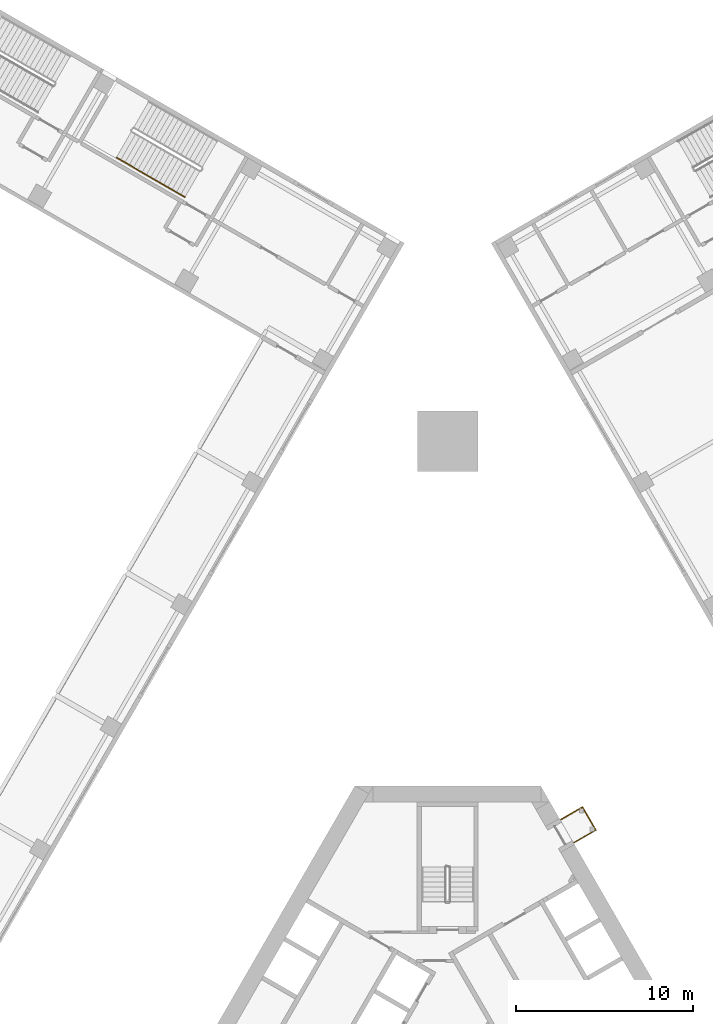
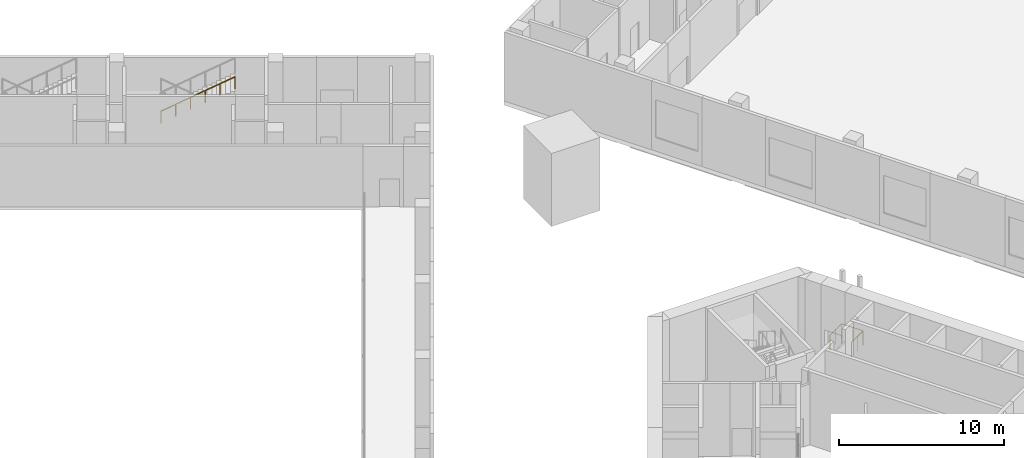
# One storey, part 32 of 35: 2 railings.
"""IFC4 building model written with IfcOpenShell, lengths in metres."""

import ifcopenshell
import ifcopenshell.guid

model = None  # the IFC model being written
_history = None  # IfcOwnerHistory: only IFC2X3 demands one
_inside = {}  # id of a spatial element -> (the spatial element, [elements in it])
_under = {}  # id of a project, library or spatial element -> (it, [spatial elements below it])
_declared = {}  # id of a project -> (the project, [libraries it declares])
_typed = {}  # id of a type object -> (the type object, [elements of that type])
_made_of = {}  # id of a material, layer set ... -> (it, [elements and type objects made of it])


def new_model(schema):
    """Start an empty IFC model of exactly this schema.

    Asked for "IFC4X3", IfcOpenShell would pick the latest addendum, in which some entities
    have other attributes; the version numbers below select the first issue.
    IFC2X3 requires an IfcOwnerHistory on every rooted entity: one is made here for all.
    """
    global model, _history
    if schema == "IFC4X3":
        model = ifcopenshell.file(schema_version=(4, 3, 0, 0))
    else:
        model = ifcopenshell.file(schema=schema)
    _inside.clear()
    _under.clear()
    _declared.clear()
    _typed.clear()
    _made_of.clear()
    _history = None
    if model.schema == "IFC2X3":
        org = make("IfcOrganization", Name="unknown")
        user = make(
            "IfcPersonAndOrganization",
            ThePerson=make("IfcPerson", FamilyName="unknown"),
            TheOrganization=org,
        )
        app = make(
            "IfcApplication",
            ApplicationDeveloper=org,
            Version="unknown",
            ApplicationFullName="unknown",
            ApplicationIdentifier="unknown",
        )
        _history = make(
            "IfcOwnerHistory",
            OwningUser=user,
            OwningApplication=app,
            ChangeAction="ADDED",
            CreationDate=0,
        )
    return model


def make(cls, **values):
    """One entity of the class cls with the attributes given. An attribute that is None is left unset."""
    return model.create_entity(
        cls, **{name: value for name, value in values.items() if value is not None}
    )


def rooted(cls, **values):
    """An entity with a GlobalId (a new one), such as an element, a storey or a relation."""
    return make(cls, GlobalId=ifcopenshell.guid.new(), OwnerHistory=_history, **values)


def si_unit(unit_type, name, prefix=None):
    """IfcSIUnit, for example si_unit("LENGTHUNIT", "METRE", prefix="MILLI")."""
    return make("IfcSIUnit", UnitType=unit_type, Prefix=prefix, Name=name)


def assignment(units):
    """IfcUnitAssignment: the units of a project."""
    return None if units is None else make("IfcUnitAssignment", Units=units)


def point(xyz):
    """IfcCartesianPoint."""
    return None if xyz is None else make("IfcCartesianPoint", Coordinates=xyz)


def direction(xyz):
    """IfcDirection."""
    return None if xyz is None else make("IfcDirection", DirectionRatios=xyz)


def frame(location, z_axis=None, x_axis=None):
    """IfcAxis2Placement3D, a coordinate frame: its origin and axes. An axis left out is left unset."""
    return make(
        "IfcAxis2Placement3D",
        Location=point(location),
        Axis=direction(z_axis),
        RefDirection=direction(x_axis),
    )


def frame_2d(location, x_axis=None):
    """IfcAxis2Placement2D, a coordinate frame in the plane: its origin and x axis."""
    return make(
        "IfcAxis2Placement2D", Location=point(location), RefDirection=direction(x_axis)
    )


def origin():
    """The frame at (0, 0, 0) with its axes left unset."""
    return frame((0.0, 0.0, 0.0))


def origin_2d():
    """The frame at (0, 0) in the plane with its x axis left unset."""
    return frame_2d((0.0, 0.0))


def place(relative_to, where):
    """IfcLocalPlacement: puts the frame where relative to a parent placement (None: the world)."""
    return make(
        "IfcLocalPlacement", PlacementRelTo=relative_to, RelativePlacement=where
    )


def context(
    kind, dimensions, precision=None, world=None, true_north=None, identifier=None
):
    """IfcGeometricRepresentationContext, for example the 3D "Model" context."""
    return make(
        "IfcGeometricRepresentationContext",
        ContextIdentifier=identifier,
        ContextType=kind,
        CoordinateSpaceDimension=dimensions,
        Precision=precision,
        WorldCoordinateSystem=world,
        TrueNorth=true_north,
    )


def subcontext(parent, identifier, kind, view, scale=None):
    """IfcGeometricRepresentationSubContext, for example "Body" below "Model"."""
    return make(
        "IfcGeometricRepresentationSubContext",
        ContextIdentifier=identifier,
        ContextType=kind,
        ParentContext=parent,
        TargetScale=scale,
        TargetView=view,
    )


def project(units=None, contexts=None):
    """IfcProject with its units and contexts."""
    return rooted(
        "IfcProject",
        Name="project",
        RepresentationContexts=contexts,
        UnitsInContext=assignment(units),
    )


def spatial(cls, under=None, at=None, **own):
    """A site, building, storey or space (cls), placed at a placement, below another one or the project."""
    s = rooted(cls, ObjectPlacement=at, **own)
    if under is not None:
        _under.setdefault(under.id(), (under, []))[1].append(s)
    return s


def profile(cls, at=None, kind="AREA", **sizes):
    """A parametric profile (cls). Its sizes go by their IFC names, for example OverallWidth=200.0."""
    return make(cls, ProfileType=kind, Position=at, **sizes)


def circle(**sizes):
    """IfcCircleProfileDef."""
    return profile("IfcCircleProfileDef", **sizes)


def extrude(swept, where, along, depth):
    """IfcExtrudedAreaSolid: the profile swept, set in the frame where, extruded along a direction by depth."""
    return make(
        "IfcExtrudedAreaSolid",
        SweptArea=swept,
        Position=where,
        ExtrudedDirection=direction(along),
        Depth=depth,
    )


def shape(context_of_items, identifier, shape_type, items):
    """IfcShapeRepresentation: the items that make up one representation, for example the "Body"."""
    return make(
        "IfcShapeRepresentation",
        ContextOfItems=context_of_items,
        RepresentationIdentifier=identifier,
        RepresentationType=shape_type,
        Items=items,
    )


def material(Name=None, Category=None):
    """IfcMaterial."""
    return make("IfcMaterial", Name=Name, Category=Category)


def made_of(thing, what):
    """Note that an element or type object is made of a material, layer set ...; save() writes the relation."""
    if what is not None:
        _made_of.setdefault(what.id(), (what, []))[1].append(thing)
    return thing


def type_object(cls, material=None, **own):
    """A type object (cls), such as IfcWallType, which elements share."""
    return made_of(rooted(cls, **own), material)


def element(
    cls,
    number,
    at=None,
    inside=None,
    cuts=None,
    type_object=None,
    material=None,
    context=None,
    identifier="Body",
    shape_type=None,
    held_by="IfcProductDefinitionShape",
    body=None,
    shapes=None,
    **own,
):
    """One element of the class cls, such as IfcWall. Its Tag is "e" and its number.

    at: its placement. inside: the storey or other place that contains it. cuts: it is an
    opening in that element (IfcRelVoidsElement). A single representation is given by context,
    identifier, shape_type and body (its items); several are given by shapes. held_by: the class
    of the entity that holds the representations. save() writes the other relations.
    """
    e = rooted(cls, Tag="e%d" % number, ObjectPlacement=at, **own)
    if body is not None:
        shapes = [shape(context, identifier, shape_type, body)]
    if shapes is not None:
        e.Representation = make(held_by, Representations=shapes)
    if inside is not None:
        _inside.setdefault(inside.id(), (inside, []))[1].append(e)
    if cuts is not None:
        rooted(
            "IfcRelVoidsElement", RelatingBuildingElement=cuts, RelatedOpeningElement=e
        )
    if type_object is not None:
        _typed.setdefault(type_object.id(), (type_object, []))[1].append(e)
    return made_of(e, material)


def aggregate(whole, parts):
    """IfcRelAggregates: a whole, such as a stair, and the parts it consists of."""
    return rooted("IfcRelAggregates", RelatingObject=whole, RelatedObjects=parts)


def save(model, path):
    """Write the relations noted so far, then the file.

    IfcRelAggregates (storeys below a building ...), IfcRelContainedInSpatialStructure (elements
    in a storey), IfcRelDefinesByType, IfcRelAssociatesMaterial and IfcRelDeclares: one each for
    every whole, place, type object, material and project.
    """
    for whole, parts in _under.values():
        aggregate(whole, parts)
    for where, things in _inside.values():
        rooted(
            "IfcRelContainedInSpatialStructure",
            RelatedElements=things,
            RelatingStructure=where,
        )
    for kind, things in _typed.values():
        rooted("IfcRelDefinesByType", RelatedObjects=things, RelatingType=kind)
    for what, things in _made_of.values():
        rooted("IfcRelAssociatesMaterial", RelatedObjects=things, RelatingMaterial=what)
    for by, libraries in _declared.values():
        rooted("IfcRelDeclares", RelatingContext=by, RelatedDefinitions=libraries)
    model.write(path)


model = new_model("IFC4")

# Units and contexts
model_context = context("Model", 3, precision=1e-05, world=origin(), true_north=direction((0.0, 1.0)))
body_context = subcontext(model_context, "Body", "Model", "MODEL_VIEW")
ifc_project = project(units=[si_unit("LENGTHUNIT", "METRE"), si_unit("AREAUNIT", "SQUARE_METRE"), si_unit("VOLUMEUNIT", "CUBIC_METRE"), si_unit("PLANEANGLEUNIT", "RADIAN"), si_unit("MASSUNIT", "GRAM", prefix="KILO")], contexts=[model_context])

# Site, building, storey
site_placement = place(None, origin())
site = spatial("IfcSite", under=ifc_project, at=site_placement, CompositionType="ELEMENT")
building_placement = place(site_placement, origin())
building = spatial("IfcBuilding", under=site, at=building_placement, Name="Mestral Congress Tower", CompositionType="ELEMENT")
storey_placement = place(building_placement, frame((0.0, 0.0, 6.0)))
storey = spatial("IfcBuildingStorey", under=building, at=storey_placement, Name="L01", CompositionType="ELEMENT", Elevation=6.0)

# Railings
ifc_material_1 = material(Name="Steel balustrade", Category="steel")
railing_type_1 = type_object("IfcRailingType", Name="Podium door landing guard 1100", PredefinedType="GUARDRAIL", material=ifc_material_1)
railing_1_placement = place(storey_placement, frame((7.158935546875, 13.700439453125, 0.0)))
element("IfcRailing", 1, at=railing_1_placement, inside=storey, type_object=railing_type_1, Name="Door landing guard", PredefinedType="GUARDRAIL", context=body_context, shape_type="SweptSolid", body=[
    extrude(circle(Radius=0.02392578125, at=origin_2d()), frame((0.0, 0.0, 1.076171875), z_axis=(0.866034573852, 0.49998411664, 0.0), x_axis=(-0.49998411664, 0.866034573852, 0.0)), (0.0, 0.0, 1.0), 1.39990234375),
    extrude(circle(Radius=0.02392578125, at=origin_2d()), frame((1.21240234375, 0.699951171875, 1.076171875), z_axis=(-0.499990139034, 0.866031096941, 0.0), x_axis=(-0.866031096941, -0.499990139034, 0.0)), (0.0, 0.0, 1.0), 1.5),
    extrude(circle(Radius=0.02392578125, at=origin_2d()), frame((0.46240234375, 1.9990234375, 1.076171875), z_axis=(-0.866034573852, -0.49998411664, 0.0), x_axis=(0.49998411664, -0.866034573852, 0.0)), (0.0, 0.0, 1.0), 1.39990234375),
    extrude(circle(Radius=0.02099609375, at=origin_2d()), origin(), (0.0, 0.0, 1.0), 1.052001953125),
    extrude(circle(Radius=0.02099609375, at=origin_2d()), frame((0.606201171875, 0.35009765625, 0.0)), (0.0, 0.0, 1.0), 1.052001953125),
    extrude(circle(Radius=0.02099609375, at=origin_2d()), frame((1.21240234375, 0.699951171875, 0.0)), (0.0, 0.0, 1.0), 1.052001953125),
    extrude(circle(Radius=0.02099609375, at=origin_2d()), frame((0.83740234375, 1.349609375, 0.0)), (0.0, 0.0, 1.0), 1.052001953125),
    extrude(circle(Radius=0.02099609375, at=origin_2d()), frame((0.46240234375, 1.9990234375, 0.0)), (0.0, 0.0, 1.0), 1.052001953125),
    extrude(circle(Radius=0.02099609375, at=origin_2d()), frame((-0.143798828125, 1.64892578125, 0.0)), (0.0, 0.0, 1.0), 1.052001953125),
    extrude(circle(Radius=0.02099609375, at=origin_2d()), frame((-0.75, 1.299072265625, 0.0)), (0.0, 0.0, 1.0), 1.052001953125),
])
ifc_material_2 = material(Name="Steel handrail", Category="steel")
railing_type_2 = type_object("IfcRailingType", Name="Podium stair handrail 900", PredefinedType="HANDRAIL", material=ifc_material_2)
railing_2_placement = place(storey_placement, frame((-18.74462890625, 52.44921875, 2.85888671875)))
element("IfcRailing", 2, at=railing_2_placement, inside=storey, type_object=railing_type_2, Name="L01 PS-W1 stair handrail 2", PredefinedType="HANDRAIL", context=body_context, shape_type="SweptSolid", body=[
    extrude(circle(Radius=0.02392578125, at=origin_2d()), frame((0.0, 0.0, 0.8759765625), z_axis=(0.7532794335, -0.434921578401, 0.49336935019), x_axis=(0.500013360201, 0.866017690131, 0.0)), (0.0, 0.0, 1.0), 5.150390625),
    extrude(circle(Radius=0.02099609375, at=origin_2d()), origin(), (0.0, 0.0, 1.0), 0.851806640625),
    extrude(circle(Radius=0.02099609375, at=origin_2d()), frame((0.77587890625, -0.447998046875, 0.50830078125)), (0.0, 0.0, 1.0), 0.851806640625),
    extrude(circle(Radius=0.02099609375, at=origin_2d()), frame((1.5517578125, -0.89599609375, 1.016357421875)), (0.0, 0.0, 1.0), 0.851806640625),
    extrude(circle(Radius=0.02099609375, at=origin_2d()), frame((2.327880859375, -1.343994140625, 1.524658203125)), (0.0, 0.0, 1.0), 0.851806640625),
    extrude(circle(Radius=0.02099609375, at=origin_2d()), frame((3.103759765625, -1.7919921875, 2.03271484375)), (0.0, 0.0, 1.0), 0.851806640625),
    extrude(circle(Radius=0.02099609375, at=origin_2d()), frame((3.879638671875, -2.239990234375, 2.541015625)), (0.0, 0.0, 1.0), 0.851806640625),
])

save(model, "model.ifc")
